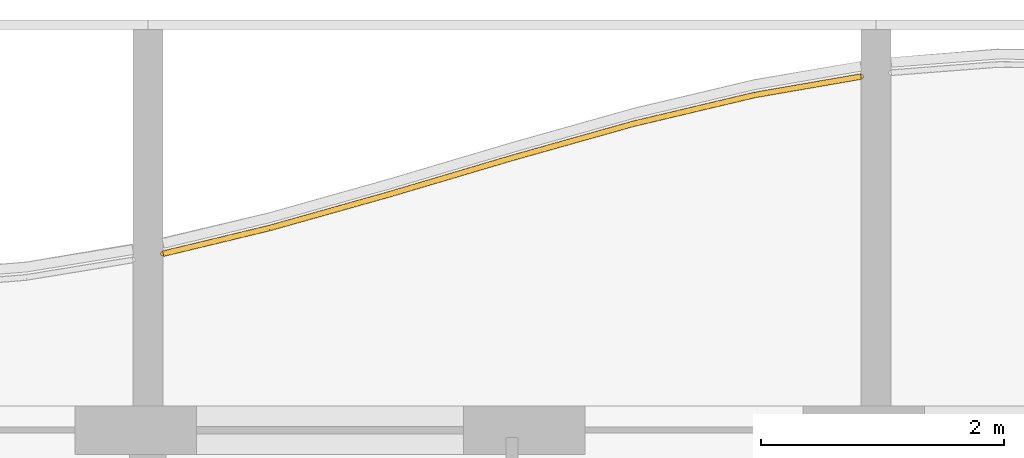
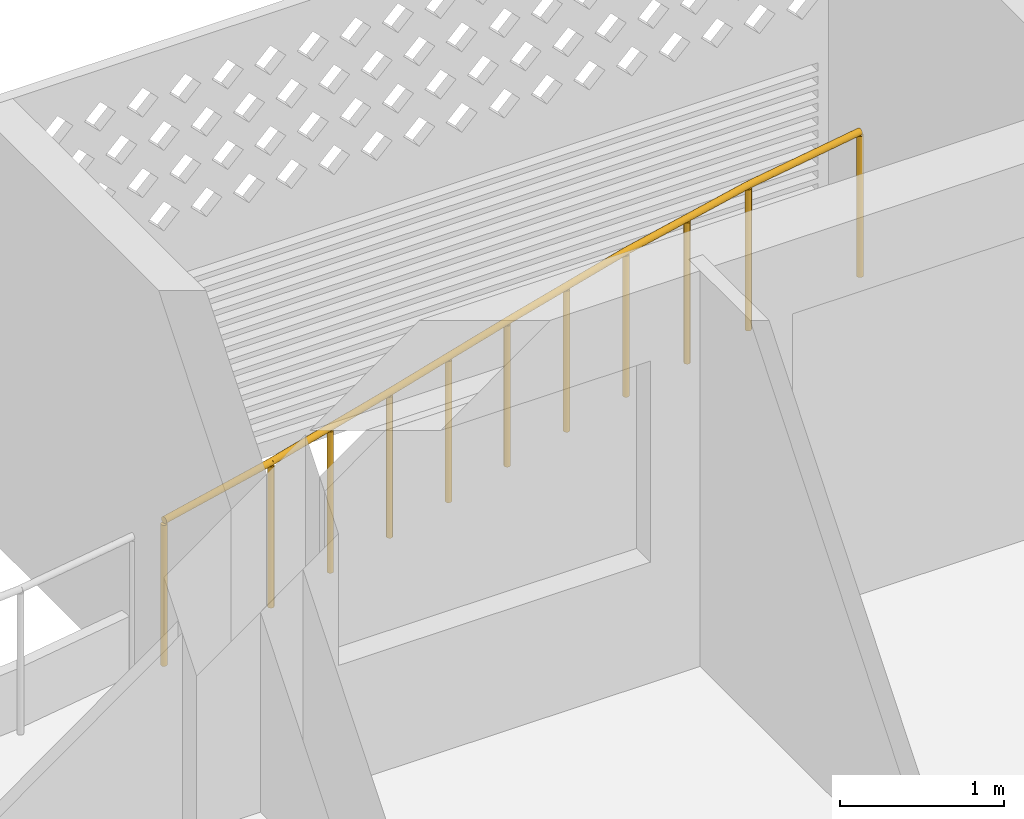
# One storey, part 17 of 26: 1 railing.
"""IFC4 building model written with IfcOpenShell, lengths in metres."""

from ifc_helpers import new_model, si_unit, direction, frame, origin, origin_2d, place, context, subcontext, project, spatial, circle, extrude, material, type_object, element, save


model = new_model("IFC4")

# Units and contexts
model_context = context("Model", 3, precision=1e-05, world=origin(), true_north=direction((0.0, 1.0)))
body_context = subcontext(model_context, "Body", "Model", "MODEL_VIEW")
ifc_project = project(units=[si_unit("LENGTHUNIT", "METRE"), si_unit("AREAUNIT", "SQUARE_METRE"), si_unit("VOLUMEUNIT", "CUBIC_METRE"), si_unit("PLANEANGLEUNIT", "RADIAN"), si_unit("MASSUNIT", "GRAM", prefix="KILO")], contexts=[model_context])

# Site, building, storey
site_placement = place(None, origin())
site = spatial("IfcSite", under=ifc_project, at=site_placement, CompositionType="ELEMENT")
building_placement = place(site_placement, origin())
building = spatial("IfcBuilding", under=site, at=building_placement, Name="Poui Terraces", CompositionType="ELEMENT")
storey_placement = place(building_placement, frame((0.0, 0.0, 162.0)))
storey = spatial("IfcBuildingStorey", under=building, at=storey_placement, Name="L45", CompositionType="ELEMENT", Elevation=162.0)

# Railing
ifc_material = material(Name="Painted steel fretwork", Category="steel")
railing_type = type_object("IfcRailingType", Name="BALCONY GUARD 1100", PredefinedType="GUARDRAIL", material=ifc_material)
railing_placement = place(storey_placement, frame((30.125, 43.854248046875, 0.0)))
element("IfcRailing", 1, at=railing_placement, inside=storey, type_object=railing_type, Name="BALCONY GUARD", PredefinedType="GUARDRAIL", context=body_context, shape_type="SweptSolid", body=[
    extrude(circle(Radius=0.02392578125, at=origin_2d()), frame((0.0, 0.0, 1.076171875), z_axis=(0.97215043642, 0.234357694494, 0.0), x_axis=(-0.234357694494, 0.97215043642, 0.0)), (0.0, 0.0, 1.0), 0.900146484375),
    extrude(circle(Radius=0.02392578125, at=origin_2d()), frame((0.875, 0.2109375, 1.076171875), z_axis=(0.962589664763, 0.270963350457, 0.0), x_axis=(-0.270963350457, 0.962589664763, 0.0)), (0.0, 0.0, 1.0), 1.038818359375),
    extrude(circle(Radius=0.02392578125, at=origin_2d()), frame((1.875, 0.492431640625, 1.076171875), z_axis=(0.958710700624, 0.284383179018, 0.0), x_axis=(-0.284383179018, 0.958710700624, 0.0)), (0.0, 0.0, 1.0), 1.04296875),
    extrude(circle(Radius=0.02392578125, at=origin_2d()), frame((2.875, 0.7890625, 1.076171875), z_axis=(0.962589664763, 0.270963350457, 0.0), x_axis=(-0.270963350457, 0.962589664763, 0.0)), (0.0, 0.0, 1.0), 1.038818359375),
    extrude(circle(Radius=0.02392578125, at=origin_2d()), frame((3.875, 1.070556640625, 1.076171875), z_axis=(0.972979257535, 0.230892538653, 0.0), x_axis=(-0.230892538653, 0.972979257535, 0.0)), (0.0, 0.0, 1.0), 1.02783203125),
    extrude(circle(Radius=0.02392578125, at=origin_2d()), frame((4.875, 1.307861328125, 1.076171875), z_axis=(0.985272223663, 0.170993114709, 0.0), x_axis=(-0.170993114709, 0.985272223663, 0.0)), (0.0, 0.0, 1.0), 0.88818359375),
    extrude(circle(Radius=0.02099609375, at=origin_2d()), origin(), (0.0, 0.0, 1.0), 1.052001953125),
    extrude(circle(Radius=0.02099609375, at=origin_2d()), frame((0.875, 0.2109375, 0.0)), (0.0, 0.0, 1.0), 1.052001953125),
    extrude(circle(Radius=0.02099609375, at=origin_2d()), frame((1.375, 0.3515625, 0.0)), (0.0, 0.0, 1.0), 1.052001953125),
    extrude(circle(Radius=0.02099609375, at=origin_2d()), frame((1.875, 0.492431640625, 0.0)), (0.0, 0.0, 1.0), 1.052001953125),
    extrude(circle(Radius=0.02099609375, at=origin_2d()), frame((2.375, 0.640625, 0.0)), (0.0, 0.0, 1.0), 1.052001953125),
    extrude(circle(Radius=0.02099609375, at=origin_2d()), frame((2.875, 0.7890625, 0.0)), (0.0, 0.0, 1.0), 1.052001953125),
    extrude(circle(Radius=0.02099609375, at=origin_2d()), frame((3.375, 0.9296875, 0.0)), (0.0, 0.0, 1.0), 1.052001953125),
    extrude(circle(Radius=0.02099609375, at=origin_2d()), frame((3.875, 1.070556640625, 0.0)), (0.0, 0.0, 1.0), 1.052001953125),
    extrude(circle(Radius=0.02099609375, at=origin_2d()), frame((4.375, 1.189208984375, 0.0)), (0.0, 0.0, 1.0), 1.052001953125),
    extrude(circle(Radius=0.02099609375, at=origin_2d()), frame((4.875, 1.307861328125, 0.0)), (0.0, 0.0, 1.0), 1.052001953125),
    extrude(circle(Radius=0.02099609375, at=origin_2d()), frame((5.75, 1.459716796875, 0.0)), (0.0, 0.0, 1.0), 1.052001953125),
])

save(model, "model.ifc")
